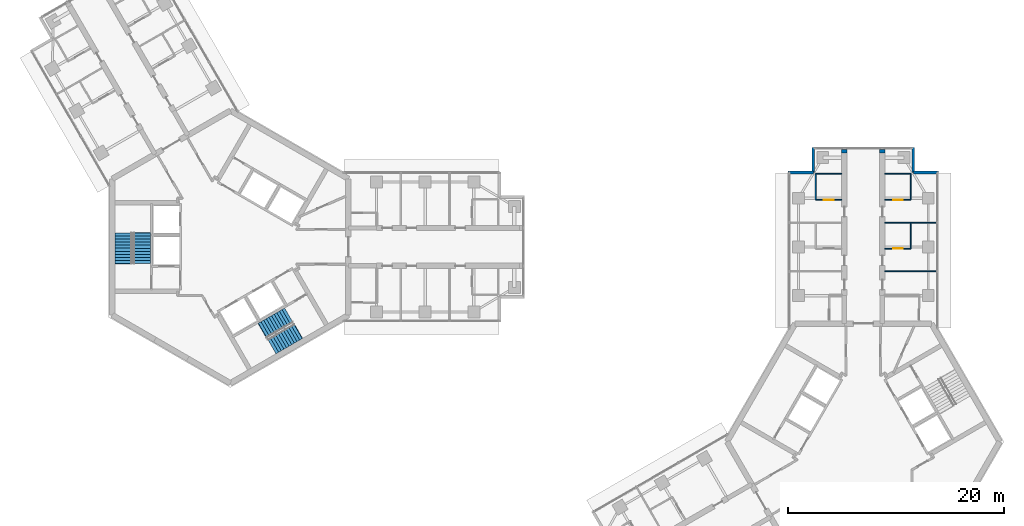
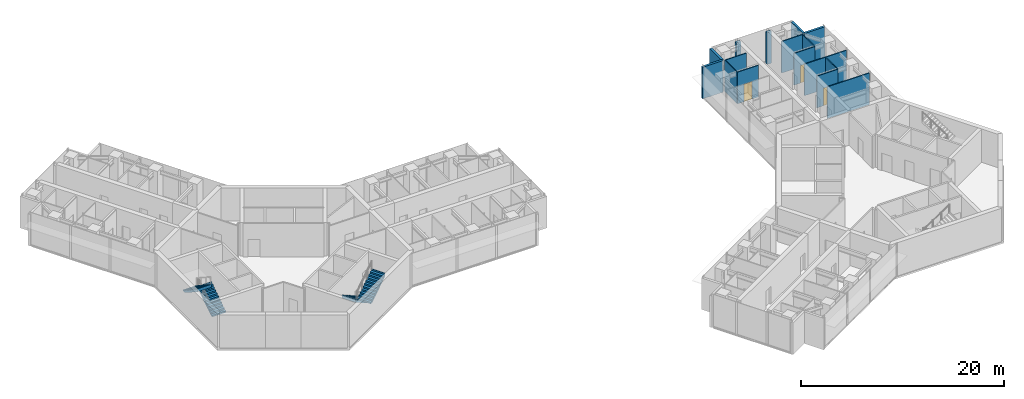
# One storey, part 16 of 18: 16 walls, 4 stair flights, 3 doors, 3 openings, 2 elements without a shape of their own.
"""IFC4 building model written with IfcOpenShell, lengths in metres."""

from ifc_helpers import new_model, si_unit, direction, frame, frame_2d, origin, place, context, subcontext, project, spatial, polyline, rectangle, outline, extrude, material, layer, layer_set, type_object, element, fill, aggregate, save


model = new_model("IFC4")

# Units and contexts
model_context = context("Model", 3, precision=1e-05, world=origin(), true_north=direction((0.0, 1.0)))
body_context = subcontext(model_context, "Body", "Model", "MODEL_VIEW")
ifc_project = project(units=[si_unit("LENGTHUNIT", "METRE"), si_unit("AREAUNIT", "SQUARE_METRE"), si_unit("VOLUMEUNIT", "CUBIC_METRE"), si_unit("PLANEANGLEUNIT", "RADIAN"), si_unit("MASSUNIT", "GRAM", prefix="KILO")], contexts=[model_context])

# Site, building, storey
site_placement = place(None, origin())
site = spatial("IfcSite", under=ifc_project, at=site_placement, CompositionType="ELEMENT")
building_placement = place(site_placement, origin())
building = spatial("IfcBuilding", under=site, at=building_placement, Name="Upepo Twin Towers", CompositionType="ELEMENT")
storey_placement = place(building_placement, frame((0.0, 0.0, 222.5)))
storey = spatial("IfcBuildingStorey", under=building, at=storey_placement, Name="L54", CompositionType="ELEMENT", Elevation=222.5)

# Walls
ifc_material_1 = material(Name="Dense concrete blockwork", Category="masonry")
ifc_layer_1 = layer(ifc_material_1, 0.5)
ifc_layer_set_1 = layer_set([ifc_layer_1], Name="Buttress closer 500, blockwork with fire-stopping to the curtain wall")
wall_type_1 = type_object("IfcWallType", Name="Buttress closer 500, blockwork with fire-stopping to the curtain wall", PredefinedType="PARTITIONING", material=ifc_layer_set_1)
for number, where, z_axis, x_axis, name in (
    (1, (56.75, 8.699951171875, 0.0), (0.0, 0.0, 1.0), (0.0, 1.0, 0.0), "T2 L54 wing A buttress closer L"),
    (2, (60.25, 8.699951171875, 0.0), (0.0, 0.0, 1.0), (0.0, 1.0, 0.0), "T2 L54 wing A buttress closer R"),
):
    element("IfcWall", number, at=place(storey_placement, frame(where, z_axis=z_axis, x_axis=x_axis)), inside=storey, type_object=wall_type_1, Name=name, PredefinedType="PARTITIONING", context=body_context, shape_type="SweptSolid", body=[
        extrude(rectangle(XDim=0.28759765625, YDim=0.5, at=frame_2d((0.143798828125, 0.0))), origin(), (0.0, 0.0, 1.0), 3.800048828125),
    ])
ifc_material_2 = material(Name="Blockwork with anodised aluminium cladding", Category="masonry")
ifc_layer_2 = layer(ifc_material_2, 0.25)
ifc_layer_set_2 = layer_set([ifc_layer_2], Name="Notch cladding wall 250, pale metal")
wall_type_2 = type_object("IfcWallType", Name="Notch cladding wall 250, pale metal", PredefinedType="STANDARD", material=ifc_layer_set_2)
for number, where, z_axis, x_axis, name in (
    (3, (51.550048828125, 6.875, 0.0), (0.0, 0.0, 1.0), (1.0, 0.0, 0.0), "T2 L54 wing A notch wall L1"),
    (4, (53.875, 6.875, 0.0), (0.0, 0.0, 1.0), (0.0, 1.0, 0.0), "T2 L54 wing A notch wall L2"),
    (5, (65.449951171875, 6.875, 0.0), (0.0, 0.0, 1.0), (-1.0, 0.0, 0.0), "T2 L54 wing A notch wall R1"),
    (6, (63.125, 6.875, 0.0), (0.0, 0.0, 1.0), (0.0, 1.0, 0.0), "T2 L54 wing A notch wall R2"),
):
    element("IfcWall", number, at=place(storey_placement, frame(where, z_axis=z_axis, x_axis=x_axis)), inside=storey, type_object=wall_type_2, Name=name, PredefinedType="STANDARD", context=body_context, shape_type="SweptSolid", body=[
        extrude(rectangle(XDim=2.324951171875, YDim=0.25, at=frame_2d((1.16259765625, 0.0))), origin(), (0.0, 0.0, 1.0), 3.800048828125),
    ])
ifc_material_3 = material(Name="Gypsum board on steel studs", Category="steel")
ifc_layer_3 = layer(ifc_material_3, 0.10009765625)
ifc_layer_set_3 = layer_set([ifc_layer_3], Name="Office partition 100 stud")
wall_type_3 = type_object("IfcWallType", Name="Office partition 100 stud", PredefinedType="PARTITIONING", material=ifc_layer_set_3)
wall_1_placement = place(storey_placement, frame((54.10009765625, 4.35009765625, 0.0), z_axis=(0.0, 0.0, 1.0), x_axis=(0.0, 1.0, 0.0)))
element("IfcWall", 7, at=wall_1_placement, inside=storey, type_object=wall_type_3, Name="T2 inner room partition AL at 22.35", PredefinedType="PARTITIONING", context=body_context, shape_type="SweptSolid", body=[
    extrude(rectangle(XDim=2.39990234375, YDim=0.10009765625, at=frame_2d((1.199951171875, 0.0))), origin(), (0.0, 0.0, 1.0), 3.800048828125),
])

# Wall, opening, door
wall_2_placement = place(storey_placement, frame((56.5, 4.35009765625, 0.0), z_axis=(0.0, 0.0, 1.0), x_axis=(-1.0, 0.0, 0.0)))
wall_2 = element("IfcWall", 8, at=wall_2_placement, inside=storey, type_object=wall_type_3, Name="T2 inner room partition AL end at 22.35", PredefinedType="PARTITIONING", context=body_context, shape_type="SweptSolid", body=[
    extrude(rectangle(XDim=2.39990234375, YDim=0.10009765625, at=frame_2d((1.199951171875, 0.0))), origin(), (0.0, 0.0, 1.0), 3.800048828125),
])
opening_1_placement = place(wall_2_placement, frame((0.75, 0.0, 0.0)))
opening_1 = element("IfcOpeningElement", 9, at=opening_1_placement, cuts=wall_2, Name="Opening D14", PredefinedType="OPENING", context=body_context, shape_type="SweptSolid", body=[
    extrude(rectangle(XDim=0.89990234375, YDim=2.10009765625, at=frame_2d((0.449951171875, 1.050048828125))), frame((0.0, 0.06005859375, 0.0), z_axis=(0.0, -1.0, 0.0), x_axis=(1.0, 0.0, 0.0)), (0.0, 0.0, 1.0), 0.1201171875),
])
ifc_material_4 = material(Name="Timber doorset", Category="wood")
door_type = type_object("IfcDoorType", Name="Office door 900 FD30", OperationType="SINGLE_SWING_LEFT", PredefinedType="DOOR", material=ifc_material_4)
door_1_placement = place(opening_1_placement, origin())
door_1 = element("IfcDoor", 10, at=door_1_placement, inside=storey, type_object=door_type, Name="T2 L54 inner room door", OperationType="SINGLE_SWING_LEFT", OverallHeight=2.10009765625, OverallWidth=0.89990234375, PredefinedType="DOOR", context=body_context, shape_type="SweptSolid", body=[
    extrude(rectangle(XDim=0.89990234375, YDim=2.10009765625, at=frame_2d((0.449951171875, 1.050048828125))), frame((0.0, 0.02490234375, 0.0), z_axis=(0.0, -1.0, 0.0), x_axis=(1.0, 0.0, 0.0)), (0.0, 0.0, 1.0), 0.050048828125),
])
fill(opening_1, door_1)

# Walls
wall_3_placement = place(storey_placement, frame((56.5, 6.75, 0.0), z_axis=(0.0, 0.0, 1.0), x_axis=(-1.0, 0.0, 0.0)))
element("IfcWall", 11, at=wall_3_placement, inside=storey, type_object=wall_type_3, Name="T2 inner room partition AL end at 24.75", PredefinedType="PARTITIONING", context=body_context, shape_type="SweptSolid", body=[
    extrude(rectangle(XDim=2.39990234375, YDim=0.10009765625, at=frame_2d((1.199951171875, 0.0))), origin(), (0.0, 0.0, 1.0), 3.800048828125),
])
for number, where, z_axis, x_axis, name in (
    (12, (60.5, -2.25, 0.0), (0.0, 0.0, 1.0), (1.0, 0.0, 0.0), "T2 partition AR at 15.75"),
    (13, (60.5, 2.25, 0.0), (0.0, 0.0, 1.0), (1.0, 0.0, 0.0), "T2 partition AR at 20.25"),
):
    element("IfcWall", number, at=place(storey_placement, frame(where, z_axis=z_axis, x_axis=x_axis)), inside=storey, type_object=wall_type_3, Name=name, PredefinedType="PARTITIONING", context=body_context, shape_type="SweptSolid", body=[
        extrude(rectangle(XDim=4.75, YDim=0.10009765625, at=frame_2d((2.375, 0.0))), origin(), (0.0, 0.0, 1.0), 3.800048828125),
    ])
wall_4_placement = place(storey_placement, frame((62.89990234375, -0.14990234375, 0.0), z_axis=(0.0, 0.0, 1.0), x_axis=(0.0, 1.0, 0.0)))
element("IfcWall", 14, at=wall_4_placement, inside=storey, type_object=wall_type_3, Name="T2 inner room partition AR at 17.85", PredefinedType="PARTITIONING", context=body_context, shape_type="SweptSolid", body=[
    extrude(rectangle(XDim=2.39990234375, YDim=0.10009765625, at=frame_2d((1.199951171875, 0.0))), origin(), (0.0, 0.0, 1.0), 3.800048828125),
])

# Wall, opening, door
wall_5_placement = place(storey_placement, frame((60.5, -0.14990234375, 0.0), z_axis=(0.0, 0.0, 1.0), x_axis=(1.0, 0.0, 0.0)))
wall_5 = element("IfcWall", 15, at=wall_5_placement, inside=storey, type_object=wall_type_3, Name="T2 inner room partition AR end at 17.85", PredefinedType="PARTITIONING", context=body_context, shape_type="SweptSolid", body=[
    extrude(rectangle(XDim=2.39990234375, YDim=0.10009765625, at=frame_2d((1.199951171875, 0.0))), origin(), (0.0, 0.0, 1.0), 3.800048828125),
])
opening_2_placement = place(wall_5_placement, frame((0.75, 0.0, 0.0)))
opening_2 = element("IfcOpeningElement", 16, at=opening_2_placement, cuts=wall_5, Name="Opening D14", PredefinedType="OPENING", context=body_context, shape_type="SweptSolid", body=[
    extrude(rectangle(XDim=0.89990234375, YDim=2.10009765625, at=frame_2d((0.449951171875, 1.050048828125))), frame((0.0, 0.06005859375, 0.0), z_axis=(0.0, -1.0, 0.0), x_axis=(1.0, 0.0, 0.0)), (0.0, 0.0, 1.0), 0.1201171875),
])
door_2_placement = place(opening_2_placement, origin())
door_2 = element("IfcDoor", 17, at=door_2_placement, inside=storey, type_object=door_type, Name="T2 L54 inner room door", OperationType="SINGLE_SWING_LEFT", OverallHeight=2.10009765625, OverallWidth=0.89990234375, PredefinedType="DOOR", context=body_context, shape_type="SweptSolid", body=[
    extrude(rectangle(XDim=0.89990234375, YDim=2.10009765625, at=frame_2d((0.449951171875, 1.050048828125))), frame((0.0, 0.02490234375, 0.0), z_axis=(0.0, -1.0, 0.0), x_axis=(1.0, 0.0, 0.0)), (0.0, 0.0, 1.0), 0.050048828125),
])
fill(opening_2, door_2)

# Wall
wall_6_placement = place(storey_placement, frame((62.89990234375, 4.35009765625, 0.0), z_axis=(0.0, 0.0, 1.0), x_axis=(0.0, 1.0, 0.0)))
element("IfcWall", 18, at=wall_6_placement, inside=storey, type_object=wall_type_3, Name="T2 inner room partition AR at 22.35", PredefinedType="PARTITIONING", context=body_context, shape_type="SweptSolid", body=[
    extrude(rectangle(XDim=2.39990234375, YDim=0.10009765625, at=frame_2d((1.199951171875, 0.0))), origin(), (0.0, 0.0, 1.0), 3.800048828125),
])

# Wall, opening, door
wall_7_placement = place(storey_placement, frame((60.5, 4.35009765625, 0.0), z_axis=(0.0, 0.0, 1.0), x_axis=(1.0, 0.0, 0.0)))
wall_7 = element("IfcWall", 19, at=wall_7_placement, inside=storey, type_object=wall_type_3, Name="T2 inner room partition AR end at 22.35", PredefinedType="PARTITIONING", context=body_context, shape_type="SweptSolid", body=[
    extrude(rectangle(XDim=2.39990234375, YDim=0.10009765625, at=frame_2d((1.199951171875, 0.0))), origin(), (0.0, 0.0, 1.0), 3.800048828125),
])
opening_3_placement = place(wall_7_placement, frame((0.75, 0.0, 0.0)))
opening_3 = element("IfcOpeningElement", 20, at=opening_3_placement, cuts=wall_7, Name="Opening D14", PredefinedType="OPENING", context=body_context, shape_type="SweptSolid", body=[
    extrude(rectangle(XDim=0.89990234375, YDim=2.10009765625, at=frame_2d((0.449951171875, 1.050048828125))), frame((0.0, 0.06005859375, 0.0), z_axis=(0.0, -1.0, 0.0), x_axis=(1.0, 0.0, 0.0)), (0.0, 0.0, 1.0), 0.1201171875),
])
door_3_placement = place(opening_3_placement, origin())
door_3 = element("IfcDoor", 21, at=door_3_placement, inside=storey, type_object=door_type, Name="T2 L54 inner room door", OperationType="SINGLE_SWING_LEFT", OverallHeight=2.10009765625, OverallWidth=0.89990234375, PredefinedType="DOOR", context=body_context, shape_type="SweptSolid", body=[
    extrude(rectangle(XDim=0.89990234375, YDim=2.10009765625, at=frame_2d((0.449951171875, 1.050048828125))), frame((0.0, 0.02490234375, 0.0), z_axis=(0.0, -1.0, 0.0), x_axis=(1.0, 0.0, 0.0)), (0.0, 0.0, 1.0), 0.050048828125),
])
fill(opening_3, door_3)

# Wall
wall_8_placement = place(storey_placement, frame((60.5, 6.75, 0.0), z_axis=(0.0, 0.0, 1.0), x_axis=(1.0, 0.0, 0.0)))
element("IfcWall", 22, at=wall_8_placement, inside=storey, type_object=wall_type_3, Name="T2 inner room partition AR end at 24.75", PredefinedType="PARTITIONING", context=body_context, shape_type="SweptSolid", body=[
    extrude(rectangle(XDim=2.39990234375, YDim=0.10009765625, at=frame_2d((1.199951171875, 0.0))), origin(), (0.0, 0.0, 1.0), 3.800048828125),
])

# Stair, stair flights
ifc_material_5 = material(Name="Concrete C40/50", Category="concrete")
stair_type = type_object("IfcStairType", Name="Core stair, two flights", PredefinedType="HALF_TURN_STAIR", material=ifc_material_5)
stair_1_placement = place(storey_placement, origin())
stair_1 = element("IfcStair", 23, at=stair_1_placement, inside=storey, type_object=stair_type, Name="T1 stair S1 L54", PredefinedType="HALF_TURN_STAIR")
ifc_material_6 = material(Name="Concrete C40/50", Category="concrete")
stair_flight_type = type_object("IfcStairFlightType", Name="Stair flight 1550 RC", PredefinedType="STRAIGHT", material=ifc_material_6)
stair_flight_1_placement = place(storey_placement, frame((-8.175048828125, -1.52001953125, 0.0), z_axis=(0.0, 0.0, 1.0), x_axis=(0.0, 1.0, 0.0)))
stair_flight_1 = element("IfcStairFlight", 24, at=stair_flight_1_placement, type_object=stair_flight_type, Name="Stair S1 flight 1", NumberOfRisers=11, NumberOfTreads=10, PredefinedType="STRAIGHT", RiserHeight=0.181818182, TreadLength=0.28, context=body_context, shape_type="SweptSolid", body=[
    extrude(outline(polyline([(0.0, 0.0), (0.0, 0.181884765625), (0.280029296875, 0.181884765625), (0.280029296875, 0.363525390625), (0.56005859375, 0.363525390625), (0.56005859375, 0.54541015625), (0.840087890625, 0.54541015625), (0.840087890625, 0.727294921875), (1.1201171875, 0.727294921875), (1.1201171875, 0.9091796875), (1.39990234375, 0.9091796875), (1.39990234375, 1.0908203125), (1.679931640625, 1.0908203125), (1.679931640625, 1.272705078125), (1.9599609375, 1.272705078125), (1.9599609375, 1.45458984375), (2.239990234375, 1.45458984375), (2.239990234375, 1.636474609375), (2.52001953125, 1.636474609375), (2.52001953125, 1.818115234375), (2.800048828125, 1.818115234375), (2.800048828125, 2.0), (2.85009765625, 2.0), (2.85009765625, 1.639404296875), (0.3251953125, 0.0), (0.0, 0.0)])), frame((0.0, 0.77490234375, 0.0), z_axis=(0.0, -1.0, 0.0), x_axis=(1.0, 0.0, 0.0)), (0.0, 0.0, 1.0), 1.550048828125),
])
stair_flight_2_placement = place(storey_placement, frame((-9.88330078125, 1.280029296875, 2.0), z_axis=(0.0, 0.0, 1.0), x_axis=(0.0, -1.0, 0.0)))
stair_flight_2 = element("IfcStairFlight", 25, at=stair_flight_2_placement, type_object=stair_flight_type, Name="Stair S1 flight 2", NumberOfRisers=11, NumberOfTreads=10, PredefinedType="STRAIGHT", RiserHeight=0.181818182, TreadLength=0.28, context=body_context, shape_type="SweptSolid", body=[
    extrude(outline(polyline([(0.0, 0.0), (0.0, 0.181884765625), (0.280029296875, 0.181884765625), (0.280029296875, 0.363525390625), (0.56005859375, 0.363525390625), (0.56005859375, 0.54541015625), (0.840087890625, 0.54541015625), (0.840087890625, 0.727294921875), (1.1201171875, 0.727294921875), (1.1201171875, 0.9091796875), (1.39990234375, 0.9091796875), (1.39990234375, 1.0908203125), (1.679931640625, 1.0908203125), (1.679931640625, 1.272705078125), (1.9599609375, 1.272705078125), (1.9599609375, 1.45458984375), (2.239990234375, 1.45458984375), (2.239990234375, 1.636474609375), (2.52001953125, 1.636474609375), (2.52001953125, 1.818115234375), (2.800048828125, 1.818115234375), (2.800048828125, 2.0), (2.85009765625, 2.0), (2.85009765625, 1.639404296875), (0.3251953125, 0.0), (0.0, 0.0)])), frame((0.0, 0.77490234375, 0.0), z_axis=(0.0, -1.0, 0.0), x_axis=(1.0, 0.0, 0.0)), (0.0, 0.0, 1.0), 1.550048828125),
])
aggregate(stair_1, [stair_flight_1, stair_flight_2])

stair_2_placement = place(storey_placement, origin())
stair_2 = element("IfcStair", 26, at=stair_2_placement, inside=storey, type_object=stair_type, Name="T1 stair S2 L54", PredefinedType="HALF_TURN_STAIR")
stair_flight_3_placement = place(storey_placement, frame((5.40380859375, -6.31982421875, 0.0), z_axis=(0.0, 0.0, 1.0), x_axis=(-0.866025403784, -0.5, 0.0)))
stair_flight_3 = element("IfcStairFlight", 27, at=stair_flight_3_placement, type_object=stair_flight_type, Name="Stair S2 flight 1", NumberOfRisers=11, NumberOfTreads=10, PredefinedType="STRAIGHT", RiserHeight=0.181818182, TreadLength=0.28, context=body_context, shape_type="SweptSolid", body=[
    extrude(outline(polyline([(0.0, 0.0), (0.0, 0.181884765625), (0.280029296875, 0.181884765625), (0.280029296875, 0.363525390625), (0.56005859375, 0.363525390625), (0.56005859375, 0.54541015625), (0.840087890625, 0.54541015625), (0.840087890625, 0.727294921875), (1.1201171875, 0.727294921875), (1.1201171875, 0.9091796875), (1.39990234375, 0.9091796875), (1.39990234375, 1.0908203125), (1.679931640625, 1.0908203125), (1.679931640625, 1.272705078125), (1.9599609375, 1.272705078125), (1.9599609375, 1.45458984375), (2.239990234375, 1.45458984375), (2.239990234375, 1.636474609375), (2.52001953125, 1.636474609375), (2.52001953125, 1.818115234375), (2.800048828125, 1.818115234375), (2.800048828125, 2.0), (2.85009765625, 2.0), (2.85009765625, 1.639404296875), (0.3251953125, 0.0), (0.0, 0.0)])), frame((0.0, 0.77490234375, 0.0), z_axis=(0.0, -1.0, 0.0), x_axis=(1.0, 0.0, 0.0)), (0.0, 0.0, 1.0), 1.550048828125),
])
stair_flight_4_placement = place(storey_placement, frame((3.833251953125, -9.19921875, 2.0), z_axis=(0.0, 0.0, 1.0), x_axis=(0.866025403784, 0.5, 0.0)))
stair_flight_4 = element("IfcStairFlight", 28, at=stair_flight_4_placement, type_object=stair_flight_type, Name="Stair S2 flight 2", NumberOfRisers=11, NumberOfTreads=10, PredefinedType="STRAIGHT", RiserHeight=0.181818182, TreadLength=0.28, context=body_context, shape_type="SweptSolid", body=[
    extrude(outline(polyline([(0.0, 0.0), (0.0, 0.181884765625), (0.280029296875, 0.181884765625), (0.280029296875, 0.363525390625), (0.56005859375, 0.363525390625), (0.56005859375, 0.54541015625), (0.840087890625, 0.54541015625), (0.840087890625, 0.727294921875), (1.1201171875, 0.727294921875), (1.1201171875, 0.9091796875), (1.39990234375, 0.9091796875), (1.39990234375, 1.0908203125), (1.679931640625, 1.0908203125), (1.679931640625, 1.272705078125), (1.9599609375, 1.272705078125), (1.9599609375, 1.45458984375), (2.239990234375, 1.45458984375), (2.239990234375, 1.636474609375), (2.52001953125, 1.636474609375), (2.52001953125, 1.818115234375), (2.800048828125, 1.818115234375), (2.800048828125, 2.0), (2.85009765625, 2.0), (2.85009765625, 1.639404296875), (0.3251953125, 0.0), (0.0, 0.0)])), frame((0.0, 0.77490234375, 0.0), z_axis=(0.0, -1.0, 0.0), x_axis=(1.0, 0.0, 0.0)), (0.0, 0.0, 1.0), 1.550048828125),
])
aggregate(stair_2, [stair_flight_3, stair_flight_4])

save(model, "model.ifc")
